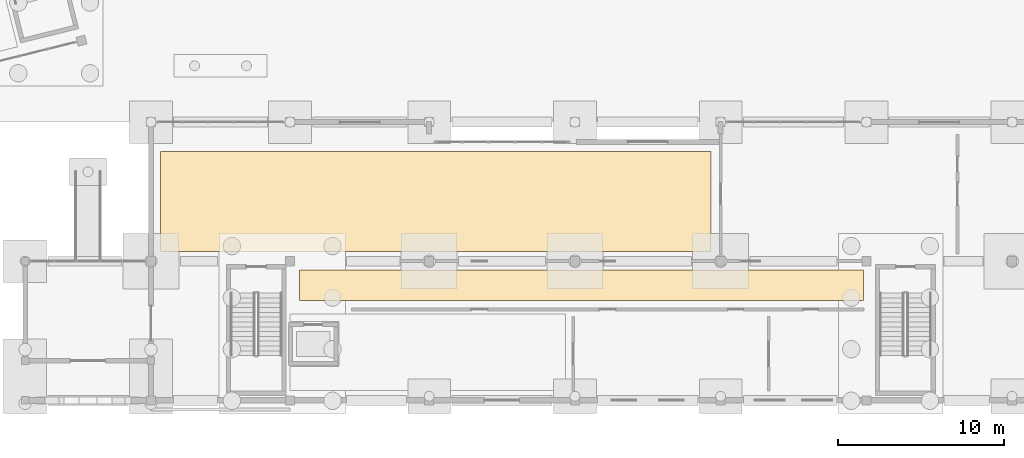
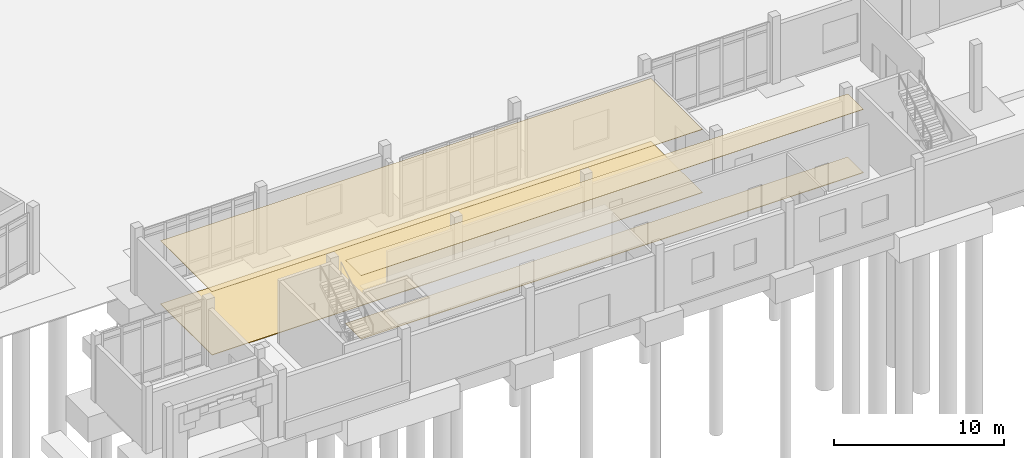
# One storey, part 60 of 72: 4 coverings.
"""IFC4 building model written with IfcOpenShell, lengths in metres."""

from ifc_helpers import new_model, si_unit, direction, frame, origin, place, context, subcontext, project, spatial, polyline, outline, extrude, material, layer, layer_set, type_object, element, save


model = new_model("IFC4")

# Units and contexts
model_context = context("Model", 3, precision=1e-05, world=origin(), true_north=direction((0.0, 1.0)))
body_context = subcontext(model_context, "Body", "Model", "MODEL_VIEW")
ifc_project = project(units=[si_unit("LENGTHUNIT", "METRE"), si_unit("AREAUNIT", "SQUARE_METRE"), si_unit("VOLUMEUNIT", "CUBIC_METRE"), si_unit("PLANEANGLEUNIT", "RADIAN"), si_unit("MASSUNIT", "GRAM", prefix="KILO")], contexts=[model_context])

# Site, building, storey
site_placement = place(None, origin())
site = spatial("IfcSite", under=ifc_project, at=site_placement, CompositionType="ELEMENT")
building_placement = place(site_placement, origin())
building = spatial("IfcBuilding", under=site, at=building_placement, Name="Cinderway Yard Community Centre", CompositionType="ELEMENT")
storey_placement = place(building_placement, origin())
storey = spatial("IfcBuildingStorey", under=building, at=storey_placement, Name="L00", CompositionType="ELEMENT", Elevation=0.0)

# Coverings
ifc_material_1 = material(Name="Mineral Acoustic Tile", Category="gypsum")
ifc_layer_1 = layer(ifc_material_1, 0.02490234375, Name="Mineral Acoustic Tile")
ifc_layer_set_1 = layer_set([ifc_layer_1], Name="Mineral Acoustic Tile")
covering_type_1 = type_object("IfcCoveringType", Name="INT-COV-CEIL-AC", PredefinedType="CEILING", material=ifc_layer_set_1)
covering_1_placement = place(storey_placement, frame((0.0, 0.0, 4.534912109375)))
element("IfcCovering", 1, at=covering_1_placement, inside=storey, type_object=covering_type_1, Name="Community Dining Hall Acoustic Ceiling", PredefinedType="CEILING", context=body_context, shape_type="SweptSolid", body=[
    extrude(outline(polyline([(58.97998046875, 21.02001953125), (92.219970703125, 21.02001953125), (92.219970703125, 14.97998046875), (58.97998046875, 14.97998046875), (58.97998046875, 21.02001953125)])), origin(), (0.0, 0.0, 1.0), 0.025146484375),
])
covering_2_placement = place(storey_placement, frame((0.0, 0.0, 4.534912109375)))
element("IfcCovering", 2, at=covering_2_placement, inside=storey, type_object=covering_type_1, Name="Dining Wing Corridor Acoustic Ceiling", PredefinedType="CEILING", context=body_context, shape_type="SweptSolid", body=[
    extrude(outline(polyline([(67.3798828125, 13.8701171875), (101.419921875, 13.8701171875), (101.419921875, 12.030029296875), (67.3798828125, 12.030029296875), (67.3798828125, 13.8701171875)])), origin(), (0.0, 0.0, 1.0), 0.025146484375),
])
ifc_material_2 = material(Name="Polished Terrazzo Screed", Category="concrete")
ifc_layer_2 = layer(ifc_material_2, 0.0400390625, Name="Polished Terrazzo Screed")
ifc_layer_set_2 = layer_set([ifc_layer_2], Name="Polished Terrazzo Screed")
covering_type_2 = type_object("IfcCoveringType", Name="INT-COV-FLR-TER", PredefinedType="FLOORING", material=ifc_layer_set_2)
covering_3_placement = place(storey_placement, origin())
element("IfcCovering", 3, at=covering_3_placement, inside=storey, type_object=covering_type_2, Name="Community Dining Hall Floor Finish", PredefinedType="FLOORING", context=body_context, shape_type="SweptSolid", body=[
    extrude(outline(polyline([(58.97998046875, 21.02001953125), (92.219970703125, 21.02001953125), (92.219970703125, 14.97998046875), (58.97998046875, 14.97998046875), (58.97998046875, 21.02001953125)])), origin(), (0.0, 0.0, 1.0), 0.0400390625),
])
covering_4_placement = place(storey_placement, origin())
element("IfcCovering", 4, at=covering_4_placement, inside=storey, type_object=covering_type_2, Name="Dining Wing Corridor Floor Finish", PredefinedType="FLOORING", context=body_context, shape_type="SweptSolid", body=[
    extrude(outline(polyline([(67.3798828125, 13.8701171875), (101.419921875, 13.8701171875), (101.419921875, 12.030029296875), (67.3798828125, 12.030029296875), (67.3798828125, 13.8701171875)])), origin(), (0.0, 0.0, 1.0), 0.0400390625),
])

save(model, "model.ifc")
